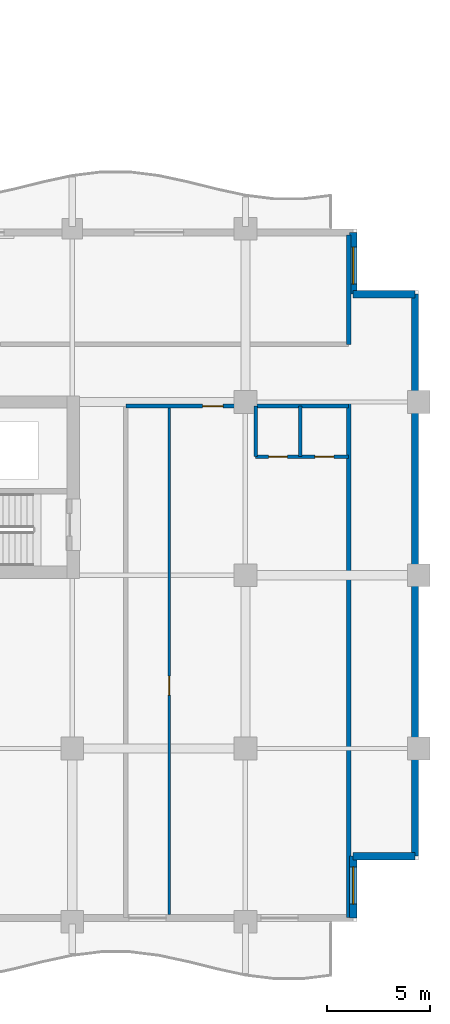
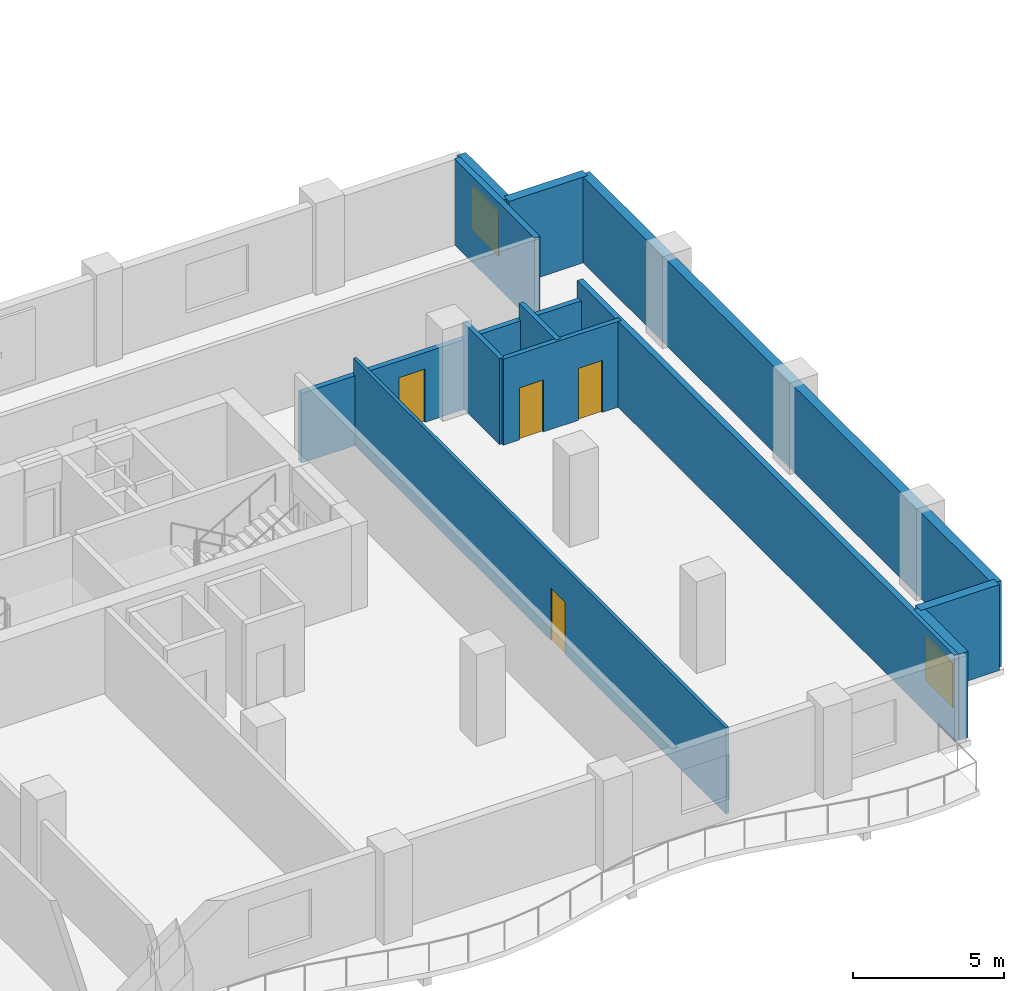
# One storey, part 8 of 15: 12 walls, 4 doors, 2 windows, 6 openings.
"""IFC4 building model written with IfcOpenShell, lengths in metres."""

from ifc_helpers import new_model, si_unit, direction, frame, frame_2d, origin, place, context, subcontext, project, spatial, rectangle, extrude, material, layer, layer_set, type_object, element, fill, save


model = new_model("IFC4")

# Units and contexts
model_context = context("Model", 3, precision=1e-05, world=origin(), true_north=direction((0.0, 1.0)))
body_context = subcontext(model_context, "Body", "Model", "MODEL_VIEW")
ifc_project = project(units=[si_unit("LENGTHUNIT", "METRE"), si_unit("AREAUNIT", "SQUARE_METRE"), si_unit("VOLUMEUNIT", "CUBIC_METRE"), si_unit("PLANEANGLEUNIT", "RADIAN"), si_unit("MASSUNIT", "GRAM", prefix="KILO")], contexts=[model_context])

# Site, building, storey
site_placement = place(None, origin())
site = spatial("IfcSite", under=ifc_project, at=site_placement, CompositionType="ELEMENT")
building_placement = place(site_placement, origin())
building = spatial("IfcBuilding", under=site, at=building_placement, Name="Koriwani Terraces Tower", CompositionType="ELEMENT")
storey_placement = place(building_placement, frame((0.0, 0.0, 216.10009765625)))
storey = spatial("IfcBuildingStorey", under=building, at=storey_placement, Name="L53", CompositionType="ELEMENT", Elevation=216.10009765625)

# Wall, opening, door
ifc_material_1 = material(Name="Autoclaved Cellular Concrete Blockwork", Category="masonry")
ifc_layer_1 = layer(ifc_material_1, 0.199951171875, Name="Autoclaved Cellular Concrete Blockwork")
ifc_layer_set_1 = layer_set([ifc_layer_1], Name="Autoclaved Cellular Concrete Blockwork")
wall_type_1 = type_object("IfcWallType", Name="WALL_CORRIDOR_200", PredefinedType="PARTITIONING", material=ifc_layer_set_1)
wall_1_placement = place(storey_placement, frame((61.39990234375, 25.0, 0.0), z_axis=(0.0, 0.0, 1.0), x_axis=(1.0, 0.0, 0.0)))
wall_1 = element("IfcWall", 1, at=wall_1_placement, inside=storey, type_object=wall_type_1, Name="L53 Interior Wall WRCOR-L53-SE-0", PredefinedType="PARTITIONING", context=body_context, shape_type="SweptSolid", body=[
    extrude(rectangle(XDim=10.800048828125, YDim=0.199951171875, at=frame_2d((5.39990234375, 0.0))), origin(), (0.0, 0.0, 1.0), 2.81982421875),
])
opening_1_placement = place(wall_1_placement, frame((3.719970703125, 0.0, 0.0)))
opening_1 = element("IfcOpeningElement", 2, at=opening_1_placement, cuts=wall_1, Name="Opening D-05", PredefinedType="OPENING", context=body_context, shape_type="SweptSolid", body=[
    extrude(rectangle(XDim=1.0, YDim=2.14990234375, at=frame_2d((0.5, 1.074951171875))), frame((0.0, 0.10986328125, 0.0), z_axis=(0.0, -1.0, 0.0), x_axis=(1.0, 0.0, 0.0)), (0.0, 0.0, 1.0), 0.219970703125),
])
ifc_material_2 = material(Name="Architectural Oak Fire Door", Category="wood")
door_type_1 = type_object("IfcDoorType", Name="DOOR_SUITE_ENTRY_1000X2150", OperationType="NOTDEFINED", PredefinedType="DOOR", material=ifc_material_2)
door_1_placement = place(opening_1_placement, origin())
door_1 = element("IfcDoor", 3, at=door_1_placement, inside=storey, type_object=door_type_1, Name="Apartment 53SE1 Entrance Door", OperationType="SINGLE_SWING_LEFT", OverallHeight=2.14990234375, OverallWidth=1.0, PredefinedType="DOOR", context=body_context, shape_type="SweptSolid", body=[
    extrude(rectangle(XDim=1.0, YDim=2.14990234375, at=frame_2d((0.5, 1.074951171875))), frame((0.0, 0.02490234375, 0.0), z_axis=(0.0, -1.0, 0.0), x_axis=(1.0, 0.0, 0.0)), (0.0, 0.0, 1.0), 0.050048828125),
])
fill(opening_1, door_1)

# Walls
ifc_layer_2 = layer(ifc_material_1, 0.219970703125, Name="Autoclaved Cellular Concrete Blockwork")
ifc_layer_set_2 = layer_set([ifc_layer_2], Name="Autoclaved Cellular Concrete Blockwork")
wall_type_2 = type_object("IfcWallType", Name="WALL_DEMISING_220", PredefinedType="PARTITIONING", material=ifc_layer_set_2)
wall_2_placement = place(storey_placement, frame((72.199951171875, 0.199951171875, 0.0), z_axis=(0.0, 0.0, 1.0), x_axis=(0.0, 1.0, 0.0)))
element("IfcWall", 4, at=wall_2_placement, inside=storey, type_object=wall_type_2, Name="L53 Interior Wall WRDEME-L53-SE", PredefinedType="PARTITIONING", context=body_context, shape_type="SweptSolid", body=[
    extrude(rectangle(XDim=24.97998046875, YDim=0.219970703125, at=frame_2d((12.489990234375, 0.0))), origin(), (0.0, 0.0, 1.0), 3.469970703125),
])
wall_3_placement = place(storey_placement, frame((72.199951171875, 28.0, 0.0), z_axis=(0.0, 0.0, 1.0), x_axis=(0.0, 1.0, 0.0)))
element("IfcWall", 5, at=wall_3_placement, inside=storey, type_object=wall_type_2, Name="L53 Interior Wall WSEC-E-L53", PredefinedType="PARTITIONING", context=body_context, shape_type="SweptSolid", body=[
    extrude(rectangle(XDim=5.300048828125, YDim=0.219970703125, at=frame_2d((2.64990234375, 0.0))), origin(), (0.0, 0.0, 1.0), 3.469970703125),
])

# Wall, opening, window
ifc_material_3 = material(Name="Concrete C50/60", Category="concrete")
ifc_layer_3 = layer(ifc_material_3, 0.35009765625, Name="Concrete C50/60")
ifc_layer_set_3 = layer_set([ifc_layer_3], Name="Concrete C50/60")
wall_type_3 = type_object("IfcWallType", Name="WALL_EXT_BRUTALIST_350", PredefinedType="STANDARD", material=ifc_layer_set_3)
wall_4_placement = place(storey_placement, frame((72.425048828125, 33.425048828125, 0.0), z_axis=(0.0, 0.0, 1.0), x_axis=(0.0, -1.0, 0.0)))
wall_4 = element("IfcWall", 6, at=wall_4_placement, inside=storey, type_object=wall_type_3, Name="L53 Fair-Faced Brutalist Exterior Wall (N10)", PredefinedType="STANDARD", context=body_context, shape_type="SweptSolid", body=[
    extrude(rectangle(XDim=3.0, YDim=0.35009765625, at=frame_2d((1.5, 0.0))), origin(), (0.0, 0.0, 1.0), 3.469970703125),
])
opening_2_placement = place(wall_4_placement, frame((0.71240234375, 0.0, 0.85009765625)))
opening_2 = element("IfcOpeningElement", 7, at=opening_2_placement, cuts=wall_4, Name="Opening W-04", PredefinedType="OPENING", context=body_context, shape_type="SweptSolid", body=[
    extrude(rectangle(XDim=1.800048828125, YDim=1.800048828125, at=frame_2d((0.89990234375, 0.89990234375))), frame((0.0, 0.18505859375, 0.0), z_axis=(0.0, -1.0, 0.0), x_axis=(1.0, 0.0, 0.0)), (0.0, 0.0, 1.0), 0.3701171875),
])
ifc_material_4 = material(Name="Tempered Laminated Low-E Glass", Category="glass")
window_type = type_object("IfcWindowType", Name="WIN_RES_BED_1800X1800", PartitioningType="DOUBLE_PANEL_VERTICAL", PredefinedType="WINDOW", material=ifc_material_4)
window_1_placement = place(opening_2_placement, origin())
window_1 = element("IfcWindow", 8, at=window_1_placement, inside=storey, type_object=window_type, Name="L53 Exterior Window (N10-R50)", OverallHeight=1.800048828125, OverallWidth=1.800048828125, PartitioningType="SINGLE_PANEL", PredefinedType="WINDOW", context=body_context, shape_type="SweptSolid", body=[
    extrude(rectangle(XDim=1.800048828125, YDim=1.800048828125, at=frame_2d((0.89990234375, 0.89990234375))), frame((0.0, 0.030029296875, 0.0), z_axis=(0.0, -1.0, 0.0), x_axis=(1.0, 0.0, 0.0)), (0.0, 0.0, 1.0), 0.06005859375),
])
fill(opening_2, window_1)

# Walls
wall_5_placement = place(storey_placement, frame((72.425048828125, 30.425048828125, 0.0), z_axis=(0.0, 0.0, 1.0), x_axis=(1.0, 0.0, 0.0)))
element("IfcWall", 9, at=wall_5_placement, inside=storey, type_object=wall_type_3, Name="L53 Fair-Faced Brutalist Exterior Wall (N11)", PredefinedType="STANDARD", context=body_context, shape_type="SweptSolid", body=[
    extrude(rectangle(XDim=3.0, YDim=0.35009765625, at=frame_2d((1.5, 0.0))), origin(), (0.0, 0.0, 1.0), 3.469970703125),
])
wall_6_placement = place(storey_placement, frame((75.425048828125, 30.425048828125, 0.0), z_axis=(0.0, 0.0, 1.0), x_axis=(0.0, -1.0, 0.0)))
element("IfcWall", 10, at=wall_6_placement, inside=storey, type_object=wall_type_3, Name="L53 Fair-Faced Brutalist Exterior Wall (E_TIP)", PredefinedType="STANDARD", context=body_context, shape_type="SweptSolid", body=[
    extrude(rectangle(XDim=27.25, YDim=0.35009765625, at=frame_2d((13.625, 0.0))), origin(), (0.0, 0.0, 1.0), 3.469970703125),
])
wall_7_placement = place(storey_placement, frame((75.425048828125, 3.175048828125, 0.0), z_axis=(0.0, 0.0, 1.0), x_axis=(-1.0, 0.0, 0.0)))
element("IfcWall", 11, at=wall_7_placement, inside=storey, type_object=wall_type_3, Name="L53 Fair-Faced Brutalist Exterior Wall (N13)", PredefinedType="STANDARD", context=body_context, shape_type="SweptSolid", body=[
    extrude(rectangle(XDim=3.0, YDim=0.35009765625, at=frame_2d((1.5, 0.0))), origin(), (0.0, 0.0, 1.0), 3.469970703125),
])

# Wall, opening, window
wall_8_placement = place(storey_placement, frame((72.425048828125, 3.175048828125, 0.0), z_axis=(0.0, 0.0, 1.0), x_axis=(0.0, -1.0, 0.0)))
wall_8 = element("IfcWall", 12, at=wall_8_placement, inside=storey, type_object=wall_type_3, Name="L53 Fair-Faced Brutalist Exterior Wall (N14)", PredefinedType="STANDARD", context=body_context, shape_type="SweptSolid", body=[
    extrude(rectangle(XDim=3.0, YDim=0.35009765625, at=frame_2d((1.5, 0.0))), origin(), (0.0, 0.0, 1.0), 3.469970703125),
])
opening_3_placement = place(wall_8_placement, frame((0.5224609375, 0.0, 0.85009765625)))
opening_3 = element("IfcOpeningElement", 13, at=opening_3_placement, cuts=wall_8, Name="Opening W-04", PredefinedType="OPENING", context=body_context, shape_type="SweptSolid", body=[
    extrude(rectangle(XDim=1.800048828125, YDim=1.800048828125, at=frame_2d((0.89990234375, 0.89990234375))), frame((0.0, 0.18505859375, 0.0), z_axis=(0.0, -1.0, 0.0), x_axis=(1.0, 0.0, 0.0)), (0.0, 0.0, 1.0), 0.3701171875),
])
window_2_placement = place(opening_3_placement, origin())
window_2 = element("IfcWindow", 14, at=window_2_placement, inside=storey, type_object=window_type, Name="L53 Exterior Window (N14-R49)", OverallHeight=1.800048828125, OverallWidth=1.800048828125, PartitioningType="SINGLE_PANEL", PredefinedType="WINDOW", context=body_context, shape_type="SweptSolid", body=[
    extrude(rectangle(XDim=1.800048828125, YDim=1.800048828125, at=frame_2d((0.89990234375, 0.89990234375))), frame((0.0, 0.030029296875, 0.0), z_axis=(0.0, -1.0, 0.0), x_axis=(1.0, 0.0, 0.0)), (0.0, 0.0, 1.0), 0.06005859375),
])
fill(opening_3, window_2)

# Wall, opening, door
ifc_material_5 = material(Name="Fire-Rated Acoustic Gypsum Partition", Category="masonry")
ifc_layer_4 = layer(ifc_material_5, 0.125, Name="Fire-Rated Acoustic Gypsum Partition")
ifc_layer_set_4 = layer_set([ifc_layer_4], Name="Fire-Rated Acoustic Gypsum Partition")
wall_type_4 = type_object("IfcWallType", Name="WALL_INT_125", PredefinedType="PARTITIONING", material=ifc_layer_set_4)
wall_9_placement = place(storey_placement, frame((63.5, 0.35009765625, 0.0), z_axis=(0.0, 0.0, 1.0), x_axis=(0.0, 1.0, 0.0)))
wall_9 = element("IfcWall", 15, at=wall_9_placement, inside=storey, type_object=wall_type_4, Name="L53 Interior Wall WRBED1-L53-SE-0", PredefinedType="PARTITIONING", context=body_context, shape_type="SweptSolid", body=[
    extrude(rectangle(XDim=24.64990234375, YDim=0.125, at=frame_2d((12.324951171875, 0.0))), origin(), (0.0, 0.0, 1.0), 3.469970703125),
])
opening_4_placement = place(wall_9_placement, frame((10.639892578125, 0.0, 0.0)))
opening_4 = element("IfcOpeningElement", 16, at=opening_4_placement, cuts=wall_9, Name="Opening D-06", PredefinedType="OPENING", context=body_context, shape_type="SweptSolid", body=[
    extrude(rectangle(XDim=0.919921875, YDim=2.10009765625, at=frame_2d((0.4599609375, 1.050048828125))), frame((0.0, 0.072509765625, 0.0), z_axis=(0.0, -1.0, 0.0), x_axis=(1.0, 0.0, 0.0)), (0.0, 0.0, 1.0), 0.14501953125),
])
door_type_2 = type_object("IfcDoorType", Name="DOOR_ROOM_INT_920X2100", OperationType="NOTDEFINED", PredefinedType="DOOR", material=ifc_material_2)
door_2_placement = place(opening_4_placement, origin())
door_2 = element("IfcDoor", 17, at=door_2_placement, inside=storey, type_object=door_type_2, Name="Apartment 53SE1 Master Bedroom Door", OperationType="SINGLE_SWING_RIGHT", OverallHeight=2.10009765625, OverallWidth=0.919921875, PredefinedType="DOOR", context=body_context, shape_type="SweptSolid", body=[
    extrude(rectangle(XDim=0.919921875, YDim=2.10009765625, at=frame_2d((0.4599609375, 1.050048828125))), frame((0.0, 0.02490234375, 0.0), z_axis=(0.0, -1.0, 0.0), x_axis=(1.0, 0.0, 0.0)), (0.0, 0.0, 1.0), 0.050048828125),
])
fill(opening_4, door_2)

# Wall, openings, doors
ifc_layer_5 = layer(ifc_material_5, 0.179931640625, Name="Fire-Rated Acoustic Gypsum Partition")
ifc_layer_set_5 = layer_set([ifc_layer_5], Name="Fire-Rated Acoustic Gypsum Partition")
wall_type_5 = type_object("IfcWallType", Name="WALL_PLUMBING_180", PredefinedType="PLUMBINGWALL", material=ifc_layer_set_5)
wall_10_placement = place(storey_placement, frame((67.699951171875, 22.550048828125, 0.0), z_axis=(0.0, 0.0, 1.0), x_axis=(1.0, 0.0, 0.0)))
wall_10 = element("IfcWall", 18, at=wall_10_placement, inside=storey, type_object=wall_type_5, Name="L53 Interior Wall WRSVC-L53-SE-0", PredefinedType="PLUMBINGWALL", context=body_context, shape_type="SweptSolid", body=[
    extrude(rectangle(XDim=4.5, YDim=0.179931640625, at=frame_2d((2.25, 0.0))), origin(), (0.0, 0.0, 1.0), 3.469970703125),
])
opening_5_placement = place(wall_10_placement, frame((0.6298828125, 0.0, 0.0)))
opening_5 = element("IfcOpeningElement", 19, at=opening_5_placement, cuts=wall_10, Name="Opening D-07", PredefinedType="OPENING", context=body_context, shape_type="SweptSolid", body=[
    extrude(rectangle(XDim=0.89990234375, YDim=2.10009765625, at=frame_2d((0.449951171875, 1.050048828125))), frame((0.0, 0.10009765625, 0.0), z_axis=(0.0, -1.0, 0.0), x_axis=(1.0, 0.0, 0.0)), (0.0, 0.0, 1.0), 0.199951171875),
])
opening_6_placement = place(wall_10_placement, frame((2.8701171875, 0.0, 0.0)))
opening_6 = element("IfcOpeningElement", 20, at=opening_6_placement, cuts=wall_10, Name="Opening D-06", PredefinedType="OPENING", context=body_context, shape_type="SweptSolid", body=[
    extrude(rectangle(XDim=0.919921875, YDim=2.10009765625, at=frame_2d((0.4599609375, 1.050048828125))), frame((0.0, 0.10009765625, 0.0), z_axis=(0.0, -1.0, 0.0), x_axis=(1.0, 0.0, 0.0)), (0.0, 0.0, 1.0), 0.199951171875),
])
door_type_3 = type_object("IfcDoorType", Name="DOOR_BATH_INT_900X2100", OperationType="NOTDEFINED", PredefinedType="DOOR", material=ifc_material_2)
door_3_placement = place(opening_5_placement, origin())
door_3 = element("IfcDoor", 21, at=door_3_placement, inside=storey, type_object=door_type_3, Name="Apartment 53SE1 Bathroom Door", OperationType="SINGLE_SWING_RIGHT", OverallHeight=2.10009765625, OverallWidth=0.89990234375, PredefinedType="DOOR", context=body_context, shape_type="SweptSolid", body=[
    extrude(rectangle(XDim=0.89990234375, YDim=2.10009765625, at=frame_2d((0.449951171875, 1.050048828125))), frame((0.0, 0.02490234375, 0.0), z_axis=(0.0, -1.0, 0.0), x_axis=(1.0, 0.0, 0.0)), (0.0, 0.0, 1.0), 0.050048828125),
])
fill(opening_5, door_3)
door_4_placement = place(opening_6_placement, origin())
door_4 = element("IfcDoor", 22, at=door_4_placement, inside=storey, type_object=door_type_2, Name="Apartment 53SE1 Kitchen Door", OperationType="SINGLE_SWING_LEFT", OverallHeight=2.10009765625, OverallWidth=0.919921875, PredefinedType="DOOR", context=body_context, shape_type="SweptSolid", body=[
    extrude(rectangle(XDim=0.919921875, YDim=2.10009765625, at=frame_2d((0.4599609375, 1.050048828125))), frame((0.0, 0.02490234375, 0.0), z_axis=(0.0, -1.0, 0.0), x_axis=(1.0, 0.0, 0.0)), (0.0, 0.0, 1.0), 0.050048828125),
])
fill(opening_6, door_4)

# Walls
for number, where, z_axis, x_axis, name in (
    (23, (67.699951171875, 22.550048828125, 0.0), (0.0, 0.0, 1.0), (0.0, 1.0, 0.0), "L53 Interior Wall WRSVCS-L53-SE-0"),
    (24, (69.860107421875, 22.550048828125, 0.0), (0.0, 0.0, 1.0), (0.0, 1.0, 0.0), "L53 Interior Wall WRSVCM-L53-SE-0"),
):
    element("IfcWall", number, at=place(storey_placement, frame(where, z_axis=z_axis, x_axis=x_axis)), inside=storey, type_object=wall_type_5, Name=name, PredefinedType="PLUMBINGWALL", context=body_context, shape_type="SweptSolid", body=[
        extrude(rectangle(XDim=2.449951171875, YDim=0.179931640625, at=frame_2d((1.22509765625, 0.0))), origin(), (0.0, 0.0, 1.0), 3.469970703125),
    ])

save(model, "model.ifc")
